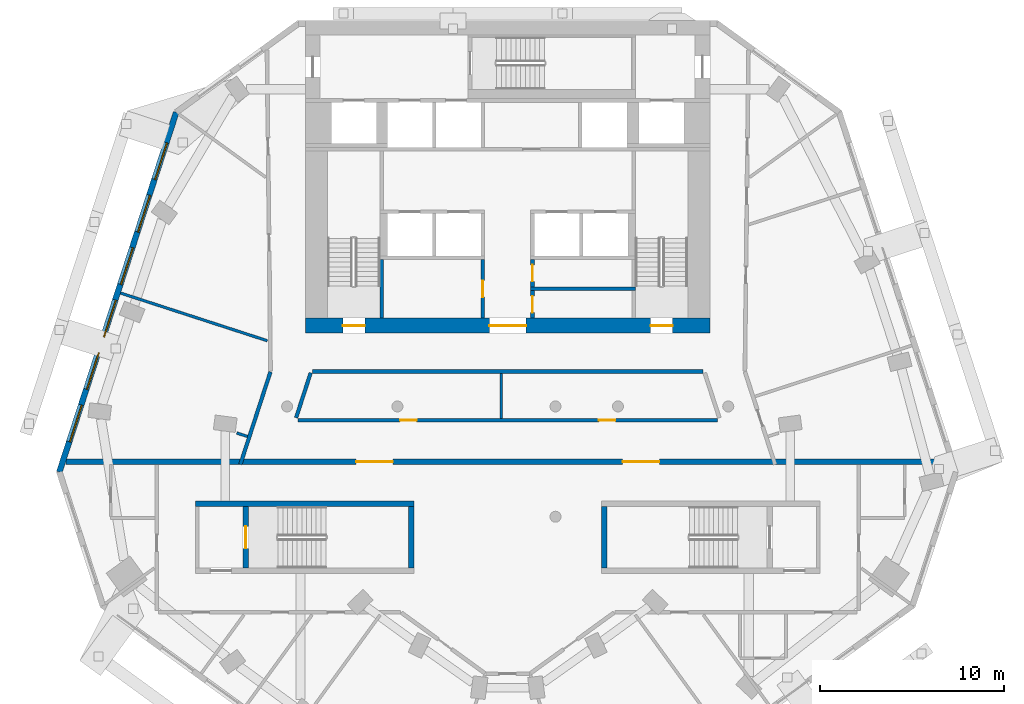
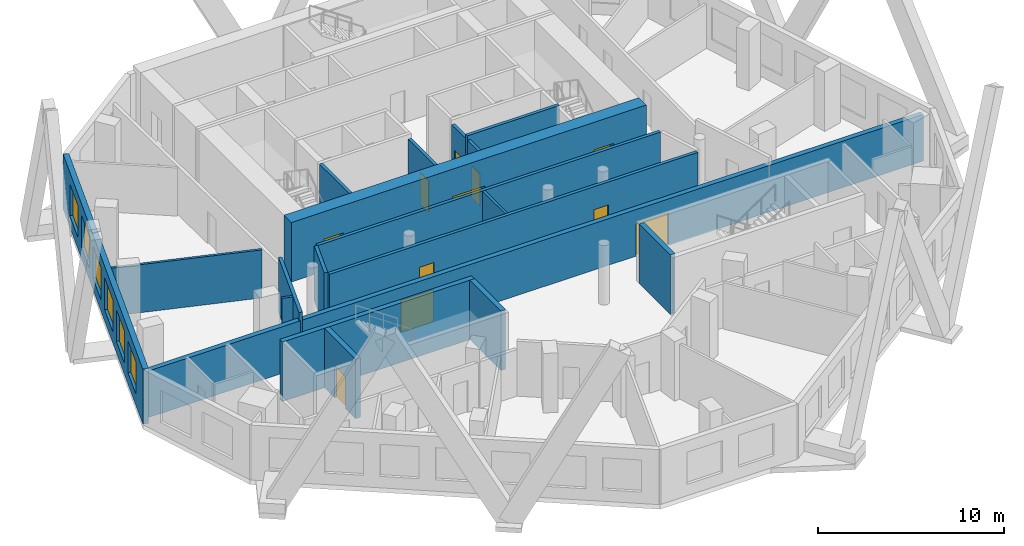
# One storey, part 4 of 10: 19 walls, 11 doors, 6 windows, 17 openings.
"""IFC4 building model written with IfcOpenShell, lengths in metres."""

from ifc_helpers import new_model, si_unit, direction, frame, frame_2d, origin, place, context, subcontext, project, spatial, rectangle, extrude, material, layer, layer_set, type_object, element, fill, save


model = new_model("IFC4")

# Units and contexts
model_context = context("Model", 3, precision=1e-05, world=origin(), true_north=direction((0.0, 1.0)))
body_context = subcontext(model_context, "Body", "Model", "MODEL_VIEW")
ifc_project = project(units=[si_unit("LENGTHUNIT", "METRE"), si_unit("AREAUNIT", "SQUARE_METRE"), si_unit("VOLUMEUNIT", "CUBIC_METRE"), si_unit("PLANEANGLEUNIT", "RADIAN"), si_unit("MASSUNIT", "GRAM", prefix="KILO")], contexts=[model_context])

# Site, building, storey
site_placement = place(None, origin())
site = spatial("IfcSite", under=ifc_project, at=site_placement, CompositionType="ELEMENT")
building_placement = place(site_placement, origin())
building = spatial("IfcBuilding", under=site, at=building_placement, Name="White Candle Pilgrim Tower", CompositionType="ELEMENT")
storey_placement = place(building_placement, frame((0.0, 0.0, 219.89990234375)))
storey = spatial("IfcBuildingStorey", under=building, at=storey_placement, Name="L51", CompositionType="ELEMENT", Elevation=219.89990234375)

# Walls
ifc_material_1 = material(Name="Gypsum board on steel studs", Category="steel")
ifc_layer_1 = layer(ifc_material_1, 0.199951171875)
ifc_layer_set_1 = layer_set([ifc_layer_1], Name="Corridor wall 200 mm EI 45")
wall_type_1 = type_object("IfcWallType", Name="Corridor wall 200 mm EI 45", PredefinedType="PARTITIONING", material=ifc_layer_set_1)
wall_1_placement = place(storey_placement, frame((55.454345703125, 63.85009765625, 0.0), z_axis=(0.0, 0.0, 1.0), x_axis=(0.309009941901, 0.951058807754, 0.0)))
element("IfcWall", 1, at=wall_1_placement, inside=storey, type_object=wall_type_1, Name="WL-L51-P002", PredefinedType="PARTITIONING", context=body_context, shape_type="SweptSolid", body=[
    extrude(rectangle(XDim=5.29345703125, YDim=0.199951171875, at=frame_2d((2.646728515625, 0.0))), origin(), (0.0, 0.0, 1.0), 3.60009765625),
])
wall_2_placement = place(storey_placement, frame((80.6240234375, 68.89990234375, 0.0), z_axis=(0.0, 0.0, 1.0), x_axis=(-1.0, 0.0, 0.0)))
element("IfcWall", 2, at=wall_2_placement, inside=storey, type_object=wall_type_1, Name="WL-L51-P013", PredefinedType="PARTITIONING", context=body_context, shape_type="SweptSolid", body=[
    extrude(rectangle(XDim=21.248046875, YDim=0.199951171875, at=frame_2d((10.6240234375, 0.0))), origin(), (0.0, 0.0, 1.0), 3.60009765625),
])
wall_3_placement = place(storey_placement, frame((59.28076171875, 68.830810546875, 0.0), z_axis=(0.0, 0.0, 1.0), x_axis=(-0.308968203288, -0.951072368097, 0.0)))
element("IfcWall", 3, at=wall_3_placement, inside=storey, type_object=wall_type_1, Name="WL-L51-P014", PredefinedType="PARTITIONING", context=body_context, shape_type="SweptSolid", body=[
    extrude(rectangle(XDim=2.575927734375, YDim=0.199951171875, at=frame_2d((1.2880859375, 0.0))), origin(), (0.0, 0.0, 1.0), 3.60009765625),
])

# Wall, openings, doors
wall_4_placement = place(storey_placement, frame((58.579833984375, 66.25, 0.0), z_axis=(0.0, 0.0, 1.0), x_axis=(1.0, 0.0, 0.0)))
wall_4 = element("IfcWall", 4, at=wall_4_placement, inside=storey, type_object=wall_type_1, Name="WL-L51-P015", PredefinedType="PARTITIONING", context=body_context, shape_type="SweptSolid", body=[
    extrude(rectangle(XDim=22.84033203125, YDim=0.199951171875, at=frame_2d((11.420166015625, 0.0))), origin(), (0.0, 0.0, 1.0), 3.60009765625),
])
opening_1_placement = place(wall_4_placement, frame((5.56689453125, 0.0, 0.0)))
opening_1 = element("IfcOpeningElement", 5, at=opening_1_placement, cuts=wall_4, Name="Opening T16-116", PredefinedType="OPENING", context=body_context, shape_type="SweptSolid", body=[
    extrude(rectangle(XDim=0.89990234375, YDim=2.10009765625, at=frame_2d((0.449951171875, 1.050048828125))), frame((0.0, 0.10986328125, 0.0), z_axis=(0.0, -1.0, 0.0), x_axis=(1.0, 0.0, 0.0)), (0.0, 0.0, 1.0), 0.219970703125),
])
opening_2_placement = place(wall_4_placement, frame((16.37451171875, 0.0, 0.0)))
opening_2 = element("IfcOpeningElement", 6, at=opening_2_placement, cuts=wall_4, Name="Opening T16-117", PredefinedType="OPENING", context=body_context, shape_type="SweptSolid", body=[
    extrude(rectangle(XDim=0.89990234375, YDim=2.10009765625, at=frame_2d((0.449951171875, 1.050048828125))), frame((0.0, 0.10986328125, 0.0), z_axis=(0.0, -1.0, 0.0), x_axis=(1.0, 0.0, 0.0)), (0.0, 0.0, 1.0), 0.219970703125),
])
ifc_material_2 = material(Name="Steel door leaf", Category="steel")
door_type_1 = type_object("IfcDoorType", Name="Fire door 900 x 2100 EI 30", OperationType="NOTDEFINED", PredefinedType="DOOR", material=ifc_material_2)
door_1_placement = place(opening_1_placement, origin())
door_1 = element("IfcDoor", 7, at=door_1_placement, inside=storey, type_object=door_type_1, Name="Door T16-116", OperationType="SINGLE_SWING_RIGHT", OverallHeight=2.10009765625, OverallWidth=0.89990234375, PredefinedType="DOOR", context=body_context, shape_type="SweptSolid", body=[
    extrude(rectangle(XDim=0.89990234375, YDim=2.10009765625, at=frame_2d((0.449951171875, 1.050048828125))), frame((0.0, 0.02490234375, 0.0), z_axis=(0.0, -1.0, 0.0), x_axis=(1.0, 0.0, 0.0)), (0.0, 0.0, 1.0), 0.050048828125),
])
fill(opening_1, door_1)
door_2_placement = place(opening_2_placement, origin())
door_2 = element("IfcDoor", 8, at=door_2_placement, inside=storey, type_object=door_type_1, Name="Door T16-117", OperationType="SINGLE_SWING_LEFT", OverallHeight=2.10009765625, OverallWidth=0.89990234375, PredefinedType="DOOR", context=body_context, shape_type="SweptSolid", body=[
    extrude(rectangle(XDim=0.89990234375, YDim=2.10009765625, at=frame_2d((0.449951171875, 1.050048828125))), frame((0.0, 0.02490234375, 0.0), z_axis=(0.0, -1.0, 0.0), x_axis=(1.0, 0.0, 0.0)), (0.0, 0.0, 1.0), 0.050048828125),
])
fill(opening_2, door_2)

# Wall, openings, windows
ifc_material_3 = material(Name="Precast concrete C40/50", Category="concrete")
ifc_layer_2 = layer(ifc_material_3, 0.320068359375)
ifc_layer_set_2 = layer_set([ifc_layer_2], Name="Facade wall EW1 precast concrete C40/50 pier wall with timber-lined reveals")
wall_type_2 = type_object("IfcWallType", Name="Facade wall EW1 precast concrete C40/50 pier wall with timber-lined reveals", PredefinedType="SOLIDWALL", material=ifc_layer_set_2)
wall_5_placement = place(storey_placement, frame((51.96337890625, 83.00732421875, 0.0), z_axis=(0.0, 0.0, 1.0), x_axis=(-0.309012851328, -0.951057862443, 0.0)))
wall_5 = element("IfcWall", 9, at=wall_5_placement, inside=storey, type_object=wall_type_2, Name="Facade wall L51 WNW", PredefinedType="SOLIDWALL", context=body_context, shape_type="SweptSolid", body=[
    extrude(rectangle(XDim=20.582763671875, YDim=0.320068359375, at=frame_2d((10.29150390625, 0.0))), origin(), (0.0, 0.0, 1.0), 3.60009765625),
])
opening_3_placement = place(wall_5_placement, frame((1.741455078125, 0.0, 0.75)))
opening_3 = element("IfcOpeningElement", 10, at=opening_3_placement, cuts=wall_5, Name="Opening W3", PredefinedType="OPENING", context=body_context, shape_type="SweptSolid", body=[
    extrude(rectangle(XDim=2.10009765625, YDim=2.10009765625, at=frame_2d((1.050048828125, 1.050048828125))), frame((0.0, 0.169921875, 0.0), z_axis=(0.0, -1.0, 0.0), x_axis=(1.0, 0.0, 0.0)), (0.0, 0.0, 1.0), 0.340087890625),
])
opening_4_placement = place(wall_5_placement, frame((4.741455078125, 0.0, 0.75)))
opening_4 = element("IfcOpeningElement", 11, at=opening_4_placement, cuts=wall_5, Name="Opening W3", PredefinedType="OPENING", context=body_context, shape_type="SweptSolid", body=[
    extrude(rectangle(XDim=2.10009765625, YDim=2.10009765625, at=frame_2d((1.050048828125, 1.050048828125))), frame((0.0, 0.169921875, 0.0), z_axis=(0.0, -1.0, 0.0), x_axis=(1.0, 0.0, 0.0)), (0.0, 0.0, 1.0), 0.340087890625),
])
opening_5_placement = place(wall_5_placement, frame((7.741455078125, 0.0, 0.75)))
opening_5 = element("IfcOpeningElement", 12, at=opening_5_placement, cuts=wall_5, Name="Opening W3", PredefinedType="OPENING", context=body_context, shape_type="SweptSolid", body=[
    extrude(rectangle(XDim=2.10009765625, YDim=2.10009765625, at=frame_2d((1.050048828125, 1.050048828125))), frame((0.0, 0.169921875, 0.0), z_axis=(0.0, -1.0, 0.0), x_axis=(1.0, 0.0, 0.0)), (0.0, 0.0, 1.0), 0.340087890625),
])
opening_6_placement = place(wall_5_placement, frame((10.741455078125, 0.0, 0.75)))
opening_6 = element("IfcOpeningElement", 13, at=opening_6_placement, cuts=wall_5, Name="Opening W3", PredefinedType="OPENING", context=body_context, shape_type="SweptSolid", body=[
    extrude(rectangle(XDim=2.10009765625, YDim=2.10009765625, at=frame_2d((1.050048828125, 1.050048828125))), frame((0.0, 0.169921875, 0.0), z_axis=(0.0, -1.0, 0.0), x_axis=(1.0, 0.0, 0.0)), (0.0, 0.0, 1.0), 0.340087890625),
])
opening_7_placement = place(wall_5_placement, frame((13.741455078125, 0.0, 0.75)))
opening_7 = element("IfcOpeningElement", 14, at=opening_7_placement, cuts=wall_5, Name="Opening W3", PredefinedType="OPENING", context=body_context, shape_type="SweptSolid", body=[
    extrude(rectangle(XDim=2.10009765625, YDim=2.10009765625, at=frame_2d((1.050048828125, 1.050048828125))), frame((0.0, 0.169921875, 0.0), z_axis=(0.0, -1.0, 0.0), x_axis=(1.0, 0.0, 0.0)), (0.0, 0.0, 1.0), 0.340087890625),
])
opening_8_placement = place(wall_5_placement, frame((16.741455078125, 0.0, 0.75)))
opening_8 = element("IfcOpeningElement", 15, at=opening_8_placement, cuts=wall_5, Name="Opening W3", PredefinedType="OPENING", context=body_context, shape_type="SweptSolid", body=[
    extrude(rectangle(XDim=2.10009765625, YDim=2.10009765625, at=frame_2d((1.050048828125, 1.050048828125))), frame((0.0, 0.169921875, 0.0), z_axis=(0.0, -1.0, 0.0), x_axis=(1.0, 0.0, 0.0)), (0.0, 0.0, 1.0), 0.340087890625),
])
ifc_material_4 = material(Name="Timber frame with triple glazing", Category="wood")
window_type = type_object("IfcWindowType", Name="Window W3 2100x2100 timber frame triple glazing", PartitioningType="SINGLE_PANEL", PredefinedType="WINDOW", material=ifc_material_4)
window_1_placement = place(opening_3_placement, origin())
window_1 = element("IfcWindow", 16, at=window_1_placement, inside=storey, type_object=window_type, Name="Window W3 L51 WNW 1", OverallHeight=2.10009765625, OverallWidth=2.10009765625, PartitioningType="SINGLE_PANEL", PredefinedType="WINDOW", context=body_context, shape_type="SweptSolid", body=[
    extrude(rectangle(XDim=2.10009765625, YDim=2.10009765625, at=frame_2d((1.050048828125, 1.050048828125))), frame((0.0, 0.070068359375, 0.0), z_axis=(0.0, -1.0, 0.0), x_axis=(1.0, 0.0, 0.0)), (0.0, 0.0, 1.0), 0.06005859375),
])
fill(opening_3, window_1)
window_2_placement = place(opening_4_placement, origin())
window_2 = element("IfcWindow", 17, at=window_2_placement, inside=storey, type_object=window_type, Name="Window W3 L51 WNW 2", OverallHeight=2.10009765625, OverallWidth=2.10009765625, PartitioningType="SINGLE_PANEL", PredefinedType="WINDOW", context=body_context, shape_type="SweptSolid", body=[
    extrude(rectangle(XDim=2.10009765625, YDim=2.10009765625, at=frame_2d((1.050048828125, 1.050048828125))), frame((0.0, 0.070068359375, 0.0), z_axis=(0.0, -1.0, 0.0), x_axis=(1.0, 0.0, 0.0)), (0.0, 0.0, 1.0), 0.06005859375),
])
fill(opening_4, window_2)
window_3_placement = place(opening_5_placement, origin())
window_3 = element("IfcWindow", 18, at=window_3_placement, inside=storey, type_object=window_type, Name="Window W3 L51 WNW 3", OverallHeight=2.10009765625, OverallWidth=2.10009765625, PartitioningType="SINGLE_PANEL", PredefinedType="WINDOW", context=body_context, shape_type="SweptSolid", body=[
    extrude(rectangle(XDim=2.10009765625, YDim=2.10009765625, at=frame_2d((1.050048828125, 1.050048828125))), frame((0.0, 0.070068359375, 0.0), z_axis=(0.0, -1.0, 0.0), x_axis=(1.0, 0.0, 0.0)), (0.0, 0.0, 1.0), 0.06005859375),
])
fill(opening_5, window_3)
window_4_placement = place(opening_6_placement, origin())
window_4 = element("IfcWindow", 19, at=window_4_placement, inside=storey, type_object=window_type, Name="Window W3 L51 WNW 4", OverallHeight=2.10009765625, OverallWidth=2.10009765625, PartitioningType="SINGLE_PANEL", PredefinedType="WINDOW", context=body_context, shape_type="SweptSolid", body=[
    extrude(rectangle(XDim=2.10009765625, YDim=2.10009765625, at=frame_2d((1.050048828125, 1.050048828125))), frame((0.0, 0.070068359375, 0.0), z_axis=(0.0, -1.0, 0.0), x_axis=(1.0, 0.0, 0.0)), (0.0, 0.0, 1.0), 0.06005859375),
])
fill(opening_6, window_4)
window_5_placement = place(opening_7_placement, origin())
window_5 = element("IfcWindow", 20, at=window_5_placement, inside=storey, type_object=window_type, Name="Window W3 L51 WNW 5", OverallHeight=2.10009765625, OverallWidth=2.10009765625, PartitioningType="SINGLE_PANEL", PredefinedType="WINDOW", context=body_context, shape_type="SweptSolid", body=[
    extrude(rectangle(XDim=2.10009765625, YDim=2.10009765625, at=frame_2d((1.050048828125, 1.050048828125))), frame((0.0, 0.070068359375, 0.0), z_axis=(0.0, -1.0, 0.0), x_axis=(1.0, 0.0, 0.0)), (0.0, 0.0, 1.0), 0.06005859375),
])
fill(opening_7, window_5)
window_6_placement = place(opening_8_placement, origin())
window_6 = element("IfcWindow", 21, at=window_6_placement, inside=storey, type_object=window_type, Name="Window W3 L51 WNW 6", OverallHeight=2.10009765625, OverallWidth=2.10009765625, PartitioningType="SINGLE_PANEL", PredefinedType="WINDOW", context=body_context, shape_type="SweptSolid", body=[
    extrude(rectangle(XDim=2.10009765625, YDim=2.10009765625, at=frame_2d((1.050048828125, 1.050048828125))), frame((0.0, 0.070068359375, 0.0), z_axis=(0.0, -1.0, 0.0), x_axis=(1.0, 0.0, 0.0)), (0.0, 0.0, 1.0), 0.06005859375),
])
fill(opening_8, window_6)

# Wall, openings, doors
ifc_material_5 = material(Name="Aerated concrete block", Category="concrete")
ifc_layer_3 = layer(ifc_material_5, 0.300048828125)
ifc_layer_set_3 = layer_set([ifc_layer_3], Name="Fire wall 300 mm REI 240")
wall_type_3 = type_object("IfcWallType", Name="Fire wall 300 mm REI 240", PredefinedType="PARTITIONING", material=ifc_layer_set_3)
wall_6_placement = place(storey_placement, frame((45.955810546875, 64.0, 0.0), z_axis=(0.0, 0.0, 1.0), x_axis=(1.0, 0.0, 0.0)))
wall_6 = element("IfcWall", 22, at=wall_6_placement, inside=storey, type_object=wall_type_3, Name="WL-L51-P001", PredefinedType="PARTITIONING", context=body_context, shape_type="SweptSolid", body=[
    extrude(rectangle(XDim=48.08837890625, YDim=0.300048828125, at=frame_2d((24.044189453125, 0.0))), origin(), (0.0, 0.0, 1.0), 3.050048828125),
])
opening_9_placement = place(wall_6_placement, frame((15.795654296875, 0.0, 0.0)))
opening_9 = element("IfcOpeningElement", 23, at=opening_9_placement, cuts=wall_6, Name="Opening T16-114", PredefinedType="OPENING", context=body_context, shape_type="SweptSolid", body=[
    extrude(rectangle(XDim=2.0, YDim=2.10009765625, at=frame_2d((1.0, 1.050048828125))), frame((0.0, 0.159912109375, 0.0), z_axis=(0.0, -1.0, 0.0), x_axis=(1.0, 0.0, 0.0)), (0.0, 0.0, 1.0), 0.320068359375),
])
opening_10_placement = place(wall_6_placement, frame((30.292724609375, 0.0, 0.0)))
opening_10 = element("IfcOpeningElement", 24, at=opening_10_placement, cuts=wall_6, Name="Opening T16-115", PredefinedType="OPENING", context=body_context, shape_type="SweptSolid", body=[
    extrude(rectangle(XDim=2.0, YDim=2.10009765625, at=frame_2d((1.0, 1.050048828125))), frame((0.0, 0.159912109375, 0.0), z_axis=(0.0, -1.0, 0.0), x_axis=(1.0, 0.0, 0.0)), (0.0, 0.0, 1.0), 0.320068359375),
])
door_type_2 = type_object("IfcDoorType", Name="Fire door 2000 x 2100 EI 60", OperationType="NOTDEFINED", PredefinedType="DOOR", material=ifc_material_2)
door_3_placement = place(opening_9_placement, origin())
door_3 = element("IfcDoor", 25, at=door_3_placement, inside=storey, type_object=door_type_2, Name="Door T16-114", OperationType="DOUBLE_DOOR_SINGLE_SWING", OverallHeight=2.10009765625, OverallWidth=2.0, PredefinedType="DOOR", context=body_context, shape_type="SweptSolid", body=[
    extrude(rectangle(XDim=2.0, YDim=2.10009765625, at=frame_2d((1.0, 1.050048828125))), frame((0.0, 0.02490234375, 0.0), z_axis=(0.0, -1.0, 0.0), x_axis=(1.0, 0.0, 0.0)), (0.0, 0.0, 1.0), 0.050048828125),
])
fill(opening_9, door_3)
door_4_placement = place(opening_10_placement, origin())
door_4 = element("IfcDoor", 26, at=door_4_placement, inside=storey, type_object=door_type_2, Name="Door T16-115", OperationType="DOUBLE_DOOR_SINGLE_SWING", OverallHeight=2.10009765625, OverallWidth=2.0, PredefinedType="DOOR", context=body_context, shape_type="SweptSolid", body=[
    extrude(rectangle(XDim=2.0, YDim=2.10009765625, at=frame_2d((1.0, 1.050048828125))), frame((0.0, 0.02490234375, 0.0), z_axis=(0.0, -1.0, 0.0), x_axis=(1.0, 0.0, 0.0)), (0.0, 0.0, 1.0), 0.050048828125),
])
fill(opening_10, door_4)

# Wall, opening, door
ifc_layer_4 = layer(ifc_material_1, 0.199951171875)
ifc_layer_set_4 = layer_set([ifc_layer_4], Name="Lobby wall 200 mm EI 60")
wall_type_4 = type_object("IfcWallType", Name="Lobby wall 200 mm EI 60", PredefinedType="PARTITIONING", material=ifc_layer_set_4)
wall_7_placement = place(storey_placement, frame((68.64990234375, 71.800048828125, 0.0), z_axis=(0.0, 0.0, 1.0), x_axis=(0.0, 1.0, 0.0)))
wall_7 = element("IfcWall", 27, at=wall_7_placement, inside=storey, type_object=wall_type_4, Name="WL-L51-C14", PredefinedType="PARTITIONING", context=body_context, shape_type="SweptSolid", body=[
    extrude(rectangle(XDim=3.199951171875, YDim=0.199951171875, at=frame_2d((1.60009765625, 0.0))), origin(), (0.0, 0.0, 1.0), 3.60009765625),
])
opening_11_placement = place(wall_7_placement, frame((1.14990234375, 0.0, 0.0)))
opening_11 = element("IfcOpeningElement", 28, at=opening_11_placement, cuts=wall_7, Name="Opening T16-005", PredefinedType="OPENING", context=body_context, shape_type="SweptSolid", body=[
    extrude(rectangle(XDim=0.89990234375, YDim=2.10009765625, at=frame_2d((0.449951171875, 1.050048828125))), frame((0.0, 0.10986328125, 0.0), z_axis=(0.0, -1.0, 0.0), x_axis=(1.0, 0.0, 0.0)), (0.0, 0.0, 1.0), 0.219970703125),
])
door_5_placement = place(opening_11_placement, origin())
door_5 = element("IfcDoor", 29, at=door_5_placement, inside=storey, type_object=door_type_1, Name="Door T16-005", OperationType="SINGLE_SWING_LEFT", OverallHeight=2.10009765625, OverallWidth=0.89990234375, PredefinedType="DOOR", context=body_context, shape_type="SweptSolid", body=[
    extrude(rectangle(XDim=0.89990234375, YDim=2.10009765625, at=frame_2d((0.449951171875, 1.050048828125))), frame((0.0, 0.02490234375, 0.0), z_axis=(0.0, -1.0, 0.0), x_axis=(1.0, 0.0, 0.0)), (0.0, 0.0, 1.0), 0.050048828125),
])
fill(opening_11, door_5)

wall_8_placement = place(storey_placement, frame((71.35009765625, 71.800048828125, 0.0), z_axis=(0.0, 0.0, 1.0), x_axis=(0.0, 1.0, 0.0)))
wall_8 = element("IfcWall", 30, at=wall_8_placement, inside=storey, type_object=wall_type_4, Name="WL-L51-C15", PredefinedType="PARTITIONING", context=body_context, shape_type="SweptSolid", body=[
    extrude(rectangle(XDim=1.5, YDim=0.199951171875, at=frame_2d((0.75, 0.0))), origin(), (0.0, 0.0, 1.0), 3.60009765625),
])
opening_12_placement = place(wall_8_placement, frame((0.300048828125, 0.0, 0.0)))
opening_12 = element("IfcOpeningElement", 31, at=opening_12_placement, cuts=wall_8, Name="Opening T16-006", PredefinedType="OPENING", context=body_context, shape_type="SweptSolid", body=[
    extrude(rectangle(XDim=0.89990234375, YDim=2.10009765625, at=frame_2d((0.449951171875, 1.050048828125))), frame((0.0, 0.10986328125, 0.0), z_axis=(0.0, -1.0, 0.0), x_axis=(1.0, 0.0, 0.0)), (0.0, 0.0, 1.0), 0.219970703125),
])
door_6_placement = place(opening_12_placement, origin())
door_6 = element("IfcDoor", 32, at=door_6_placement, inside=storey, type_object=door_type_1, Name="Door T16-006", OperationType="SINGLE_SWING_RIGHT", OverallHeight=2.10009765625, OverallWidth=0.89990234375, PredefinedType="DOOR", context=body_context, shape_type="SweptSolid", body=[
    extrude(rectangle(XDim=0.89990234375, YDim=2.10009765625, at=frame_2d((0.449951171875, 1.050048828125))), frame((0.0, 0.02490234375, 0.0), z_axis=(0.0, -1.0, 0.0), x_axis=(1.0, 0.0, 0.0)), (0.0, 0.0, 1.0), 0.050048828125),
])
fill(opening_12, door_6)

wall_9_placement = place(storey_placement, frame((71.35009765625, 73.5, 0.0), z_axis=(0.0, 0.0, 1.0), x_axis=(0.0, 1.0, 0.0)))
wall_9 = element("IfcWall", 33, at=wall_9_placement, inside=storey, type_object=wall_type_4, Name="WL-L51-C19", PredefinedType="PARTITIONING", context=body_context, shape_type="SweptSolid", body=[
    extrude(rectangle(XDim=1.5, YDim=0.199951171875, at=frame_2d((0.75, 0.0))), origin(), (0.0, 0.0, 1.0), 3.60009765625),
])
opening_13_placement = place(wall_9_placement, frame((0.300048828125, 0.0, 0.0)))
opening_13 = element("IfcOpeningElement", 34, at=opening_13_placement, cuts=wall_9, Name="Opening T16-007", PredefinedType="OPENING", context=body_context, shape_type="SweptSolid", body=[
    extrude(rectangle(XDim=0.89990234375, YDim=2.10009765625, at=frame_2d((0.449951171875, 1.050048828125))), frame((0.0, 0.10986328125, 0.0), z_axis=(0.0, -1.0, 0.0), x_axis=(1.0, 0.0, 0.0)), (0.0, 0.0, 1.0), 0.219970703125),
])
door_7_placement = place(opening_13_placement, origin())
door_7 = element("IfcDoor", 35, at=door_7_placement, inside=storey, type_object=door_type_1, Name="Door T16-007", OperationType="SINGLE_SWING_LEFT", OverallHeight=2.10009765625, OverallWidth=0.89990234375, PredefinedType="DOOR", context=body_context, shape_type="SweptSolid", body=[
    extrude(rectangle(XDim=0.89990234375, YDim=2.10009765625, at=frame_2d((0.449951171875, 1.050048828125))), frame((0.0, 0.02490234375, 0.0), z_axis=(0.0, -1.0, 0.0), x_axis=(1.0, 0.0, 0.0)), (0.0, 0.0, 1.0), 0.050048828125),
])
fill(opening_13, door_7)

# Walls
ifc_layer_5 = layer(ifc_material_1, 0.14990234375)
ifc_layer_set_5 = layer_set([ifc_layer_5], Name="Partition 150 mm EI 60")
wall_type_5 = type_object("IfcWallType", Name="Partition 150 mm EI 60", PredefinedType="PARTITIONING", material=ifc_layer_set_5)
wall_10_placement = place(storey_placement, frame((48.935302734375, 73.170166015625, 0.0), z_axis=(0.0, 0.0, 1.0), x_axis=(0.951052231639, -0.309030180879, 0.0)))
element("IfcWall", 36, at=wall_10_placement, inside=storey, type_object=wall_type_5, Name="WL-L51-P023", PredefinedType="PARTITIONING", context=body_context, shape_type="SweptSolid", body=[
    extrude(rectangle(XDim=8.3955078125, YDim=0.14990234375, at=frame_2d((4.19775390625, 0.0))), origin(), (0.0, 0.0, 1.0), 3.150146484375),
])
wall_11_placement = place(storey_placement, frame((69.651123046875, 66.35009765625, 0.0), z_axis=(0.0, 0.0, 1.0), x_axis=(0.0, 1.0, 0.0)))
element("IfcWall", 37, at=wall_11_placement, inside=storey, type_object=wall_type_5, Name="WL-L51-P038", PredefinedType="PARTITIONING", context=body_context, shape_type="SweptSolid", body=[
    extrude(rectangle(XDim=2.449951171875, YDim=0.14990234375, at=frame_2d((1.22509765625, 0.0))), origin(), (0.0, 0.0, 1.0), 3.60009765625),
])
wall_12_placement = place(storey_placement, frame((55.2568359375, 65.55517578125, 0.0), z_axis=(0.0, 0.0, 1.0), x_axis=(0.951077833303, -0.30895137967, 0.0)))
element("IfcWall", 38, at=wall_12_placement, inside=storey, type_object=wall_type_5, Name="WL-L51-P041", PredefinedType="PARTITIONING", context=body_context, shape_type="SweptSolid", body=[
    extrude(rectangle(XDim=0.61474609375, YDim=0.14990234375, at=frame_2d((0.307373046875, 0.0))), origin(), (0.0, 0.0, 1.0), 3.60009765625),
])
ifc_material_6 = material(Name="Concrete C50/60", Category="concrete")
ifc_layer_6 = layer(ifc_material_6, 0.199951171875)
ifc_layer_set_6 = layer_set([ifc_layer_6], Name="Stair shaft wall 200 mm Concrete C50/60")
wall_type_6 = type_object("IfcWallType", Name="Stair shaft wall 200 mm Concrete C50/60", PredefinedType="SHEAR", material=ifc_layer_set_6)
wall_13_placement = place(storey_placement, frame((63.14990234375, 71.800048828125, 0.0), z_axis=(0.0, 0.0, 1.0), x_axis=(0.0, 1.0, 0.0)))
element("IfcWall", 39, at=wall_13_placement, inside=storey, type_object=wall_type_6, Name="WL-L51-C13", PredefinedType="SHEAR", context=body_context, shape_type="SweptSolid", body=[
    extrude(rectangle(XDim=3.199951171875, YDim=0.199951171875, at=frame_2d((1.60009765625, 0.0))), origin(), (0.0, 0.0, 1.0), 3.900146484375),
])
wall_14_placement = place(storey_placement, frame((71.25, 73.39990234375, 0.0), z_axis=(0.0, 0.0, 1.0), x_axis=(1.0, 0.0, 0.0)))
element("IfcWall", 40, at=wall_14_placement, inside=storey, type_object=wall_type_6, Name="WL-L51-C18", PredefinedType="SHEAR", context=body_context, shape_type="SweptSolid", body=[
    extrude(rectangle(XDim=5.699951171875, YDim=0.199951171875, at=frame_2d((2.85009765625, 0.0))), origin(), (0.0, 0.0, 1.0), 3.900146484375),
])

# Wall, opening, door
ifc_layer_7 = layer(ifc_material_6, 0.300048828125)
ifc_layer_set_7 = layer_set([ifc_layer_7], Name="Stair shaft wall 300 mm Concrete C50/60")
wall_type_7 = type_object("IfcWallType", Name="Stair shaft wall 300 mm Concrete C50/60", PredefinedType="SHEAR", material=ifc_layer_set_7)
wall_15_placement = place(storey_placement, frame((55.75, 58.199951171875, 0.0), z_axis=(0.0, 0.0, 1.0), x_axis=(0.0, 1.0, 0.0)))
wall_15 = element("IfcWall", 41, at=wall_15_placement, inside=storey, type_object=wall_type_7, Name="WL-L51-C04", PredefinedType="SHEAR", context=body_context, shape_type="SweptSolid", body=[
    extrude(rectangle(XDim=3.35009765625, YDim=0.300048828125, at=frame_2d((1.675048828125, 0.0))), origin(), (0.0, 0.0, 1.0), 3.900146484375),
])
opening_14_placement = place(wall_15_placement, frame((1.074951171875, 0.0, 0.0)))
opening_14 = element("IfcOpeningElement", 42, at=opening_14_placement, cuts=wall_15, Name="Opening T16-011", PredefinedType="OPENING", context=body_context, shape_type="SweptSolid", body=[
    extrude(rectangle(XDim=1.199951171875, YDim=2.10009765625, at=frame_2d((0.60009765625, 1.050048828125))), frame((0.0, 0.159912109375, 0.0), z_axis=(0.0, -1.0, 0.0), x_axis=(1.0, 0.0, 0.0)), (0.0, 0.0, 1.0), 0.320068359375),
])
door_type_3 = type_object("IfcDoorType", Name="Fire door 1200 x 2100 EI 60", OperationType="NOTDEFINED", PredefinedType="DOOR", material=ifc_material_2)
door_8_placement = place(opening_14_placement, frame((1.199951171875, 0.0, 0.0), z_axis=(0.0, 0.0, 1.0), x_axis=(-1.0, 0.0, 0.0)))
door_8 = element("IfcDoor", 43, at=door_8_placement, inside=storey, type_object=door_type_3, Name="Door T16-011", OperationType="SINGLE_SWING_RIGHT", OverallHeight=2.10009765625, OverallWidth=1.199951171875, PredefinedType="DOOR", context=body_context, shape_type="SweptSolid", body=[
    extrude(rectangle(XDim=1.199951171875, YDim=2.10009765625, at=frame_2d((0.60009765625, 1.050048828125))), frame((0.0, 0.02490234375, 0.0), z_axis=(0.0, -1.0, 0.0), x_axis=(1.0, 0.0, 0.0)), (0.0, 0.0, 1.0), 0.050048828125),
])
fill(opening_14, door_8)

# Walls
for number, where, z_axis, x_axis, name in (
    (44, (64.75, 58.199951171875, 0.0), (0.0, 0.0, 1.0), (0.0, 1.0, 0.0), "WL-L51-C05"),
    (45, (75.25, 58.199951171875, 0.0), (0.0, 0.0, 1.0), (0.0, 1.0, 0.0), "WL-L51-C06"),
):
    element("IfcWall", number, at=place(storey_placement, frame(where, z_axis=z_axis, x_axis=x_axis)), inside=storey, type_object=wall_type_7, Name=name, PredefinedType="SHEAR", context=body_context, shape_type="SweptSolid", body=[
        extrude(rectangle(XDim=3.35009765625, YDim=0.300048828125, at=frame_2d((1.675048828125, 0.0))), origin(), (0.0, 0.0, 1.0), 3.900146484375),
    ])
wall_16_placement = place(storey_placement, frame((53.0, 61.699951171875, 0.0), z_axis=(0.0, 0.0, 1.0), x_axis=(1.0, 0.0, 0.0)))
element("IfcWall", 46, at=wall_16_placement, inside=storey, type_object=wall_type_7, Name="WL-L51-C09", PredefinedType="SHEAR", context=body_context, shape_type="SweptSolid", body=[
    extrude(rectangle(XDim=11.89990234375, YDim=0.300048828125, at=frame_2d((5.949951171875, 0.0))), origin(), (0.0, 0.0, 1.0), 3.900146484375),
])

# Wall, openings, doors
ifc_layer_8 = layer(ifc_material_6, 0.800048828125)
ifc_layer_set_8 = layer_set([ifc_layer_8], Name="Stair shaft wall 800 mm Concrete C50/60")
wall_type_8 = type_object("IfcWallType", Name="Stair shaft wall 800 mm Concrete C50/60", PredefinedType="SHEAR", material=ifc_layer_set_8)
wall_17_placement = place(storey_placement, frame((59.0, 71.39990234375, 0.0), z_axis=(0.0, 0.0, 1.0), x_axis=(1.0, 0.0, 0.0)))
wall_17 = element("IfcWall", 47, at=wall_17_placement, inside=storey, type_object=wall_type_8, Name="WL-L51-C11", PredefinedType="SHEAR", context=body_context, shape_type="SweptSolid", body=[
    extrude(rectangle(XDim=22.0, YDim=0.800048828125, at=frame_2d((11.0, 0.0))), origin(), (0.0, 0.0, 1.0), 3.900146484375),
])
opening_15_placement = place(wall_17_placement, frame((2.02490234375, 0.0, 0.0)))
opening_15 = element("IfcOpeningElement", 48, at=opening_15_placement, cuts=wall_17, Name="Opening T16-001", PredefinedType="OPENING", context=body_context, shape_type="SweptSolid", body=[
    extrude(rectangle(XDim=1.199951171875, YDim=2.10009765625, at=frame_2d((0.60009765625, 1.050048828125))), frame((0.0, 0.409912109375, 0.0), z_axis=(0.0, -1.0, 0.0), x_axis=(1.0, 0.0, 0.0)), (0.0, 0.0, 1.0), 0.820068359375),
])
opening_16_placement = place(wall_17_placement, frame((18.77490234375, 0.0, 0.0)))
opening_16 = element("IfcOpeningElement", 49, at=opening_16_placement, cuts=wall_17, Name="Opening T16-002", PredefinedType="OPENING", context=body_context, shape_type="SweptSolid", body=[
    extrude(rectangle(XDim=1.199951171875, YDim=2.10009765625, at=frame_2d((0.60009765625, 1.050048828125))), frame((0.0, 0.409912109375, 0.0), z_axis=(0.0, -1.0, 0.0), x_axis=(1.0, 0.0, 0.0)), (0.0, 0.0, 1.0), 0.820068359375),
])
opening_17_placement = place(wall_17_placement, frame((10.0, 0.0, 0.0)))
opening_17 = element("IfcOpeningElement", 50, at=opening_17_placement, cuts=wall_17, Name="Opening T16-004", PredefinedType="OPENING", context=body_context, shape_type="SweptSolid", body=[
    extrude(rectangle(XDim=2.0, YDim=2.10009765625, at=frame_2d((1.0, 1.050048828125))), frame((0.0, 0.409912109375, 0.0), z_axis=(0.0, -1.0, 0.0), x_axis=(1.0, 0.0, 0.0)), (0.0, 0.0, 1.0), 0.820068359375),
])
door_9_placement = place(opening_15_placement, frame((1.199951171875, 0.0, 0.0), z_axis=(0.0, 0.0, 1.0), x_axis=(-1.0, 0.0, 0.0)))
door_9 = element("IfcDoor", 51, at=door_9_placement, inside=storey, type_object=door_type_3, Name="Door T16-001", OperationType="SINGLE_SWING_RIGHT", OverallHeight=2.10009765625, OverallWidth=1.199951171875, PredefinedType="DOOR", context=body_context, shape_type="SweptSolid", body=[
    extrude(rectangle(XDim=1.199951171875, YDim=2.10009765625, at=frame_2d((0.60009765625, 1.050048828125))), frame((0.0, 0.02490234375, 0.0), z_axis=(0.0, -1.0, 0.0), x_axis=(1.0, 0.0, 0.0)), (0.0, 0.0, 1.0), 0.050048828125),
])
fill(opening_15, door_9)
door_10_placement = place(opening_16_placement, frame((1.199951171875, 0.0, 0.0), z_axis=(0.0, 0.0, 1.0), x_axis=(-1.0, 0.0, 0.0)))
door_10 = element("IfcDoor", 52, at=door_10_placement, inside=storey, type_object=door_type_3, Name="Door T16-002", OperationType="SINGLE_SWING_LEFT", OverallHeight=2.10009765625, OverallWidth=1.199951171875, PredefinedType="DOOR", context=body_context, shape_type="SweptSolid", body=[
    extrude(rectangle(XDim=1.199951171875, YDim=2.10009765625, at=frame_2d((0.60009765625, 1.050048828125))), frame((0.0, 0.02490234375, 0.0), z_axis=(0.0, -1.0, 0.0), x_axis=(1.0, 0.0, 0.0)), (0.0, 0.0, 1.0), 0.050048828125),
])
fill(opening_16, door_10)
door_11_placement = place(opening_17_placement, frame((2.0, 0.0, 0.0), z_axis=(0.0, 0.0, 1.0), x_axis=(-1.0, 0.0, 0.0)))
door_11 = element("IfcDoor", 53, at=door_11_placement, inside=storey, type_object=door_type_2, Name="Door T16-004", OperationType="DOUBLE_DOOR_SINGLE_SWING", OverallHeight=2.10009765625, OverallWidth=2.0, PredefinedType="DOOR", context=body_context, shape_type="SweptSolid", body=[
    extrude(rectangle(XDim=2.0, YDim=2.10009765625, at=frame_2d((1.0, 1.050048828125))), frame((0.0, 0.02490234375, 0.0), z_axis=(0.0, -1.0, 0.0), x_axis=(1.0, 0.0, 0.0)), (0.0, 0.0, 1.0), 0.050048828125),
])
fill(opening_17, door_11)

save(model, "model.ifc")
